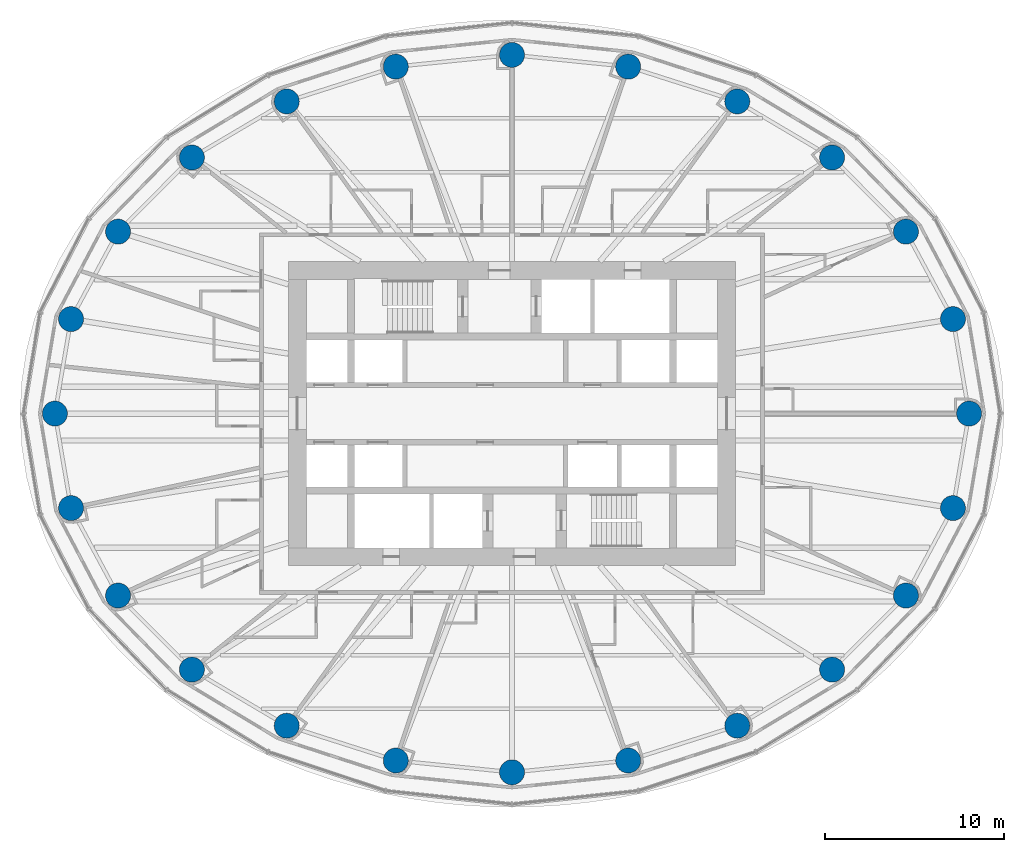
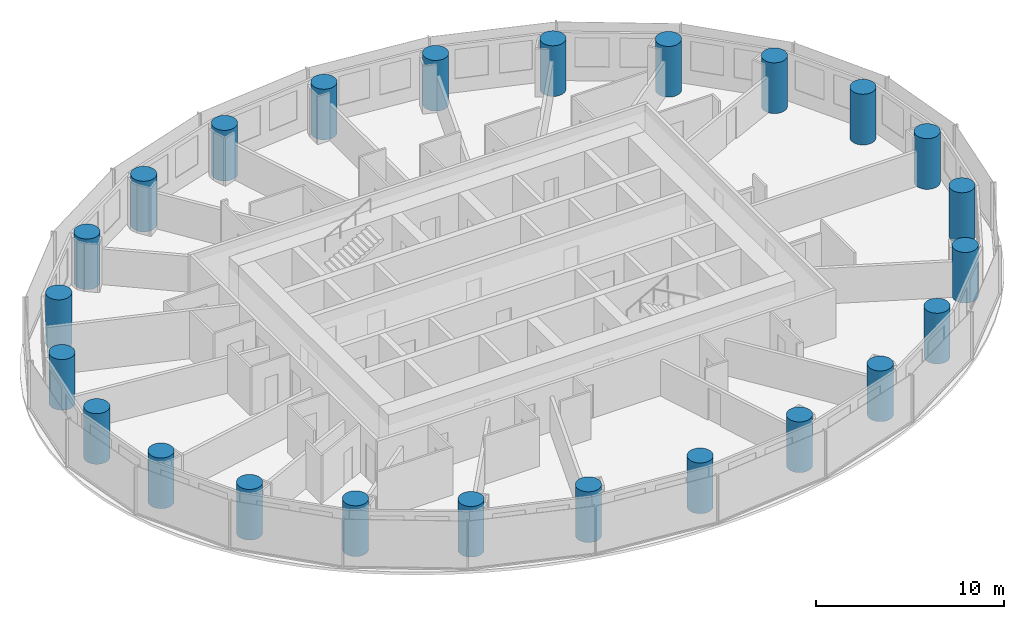
# One storey, part 1 of 13: 24 columns.
"""IFC4 building model written with IfcOpenShell, lengths in metres."""

from ifc_helpers import new_model, si_unit, direction, frame, origin, origin_2d, place, context, subcontext, project, spatial, circle, extrude, material, material_profile, profile_set, type_object, element, save


model = new_model("IFC4")

# Units and contexts
model_context = context("Model", 3, precision=1e-05, world=origin(), true_north=direction((0.0, 1.0)))
body_context = subcontext(model_context, "Body", "Model", "MODEL_VIEW")
ifc_project = project(units=[si_unit("LENGTHUNIT", "METRE"), si_unit("AREAUNIT", "SQUARE_METRE"), si_unit("VOLUMEUNIT", "CUBIC_METRE"), si_unit("PLANEANGLEUNIT", "RADIAN"), si_unit("MASSUNIT", "GRAM", prefix="KILO")], contexts=[model_context])

# Site, building, storey
site_placement = place(None, origin())
site = spatial("IfcSite", under=ifc_project, at=site_placement, CompositionType="ELEMENT")
building_placement = place(site_placement, origin())
building = spatial("IfcBuilding", under=site, at=building_placement, Name="Hankou Lantern Tower", CompositionType="ELEMENT")
storey_placement = place(building_placement, frame((0.0, 0.0, 83.699951171875)))
storey = spatial("IfcBuildingStorey", under=building, at=storey_placement, Name="L21", CompositionType="ELEMENT", Elevation=83.699951171875)

# Columns
ifc_material = material(Name="Concrete C60", Category="concrete")
ifc_material_profile = material_profile(ifc_material, circle(Radius=0.699951171875, at=origin_2d()), Name="RC D1400")
ifc_profile_set = profile_set([ifc_material_profile], Name="Concrete C60")
column_type = type_object("IfcColumnType", Name="TC2 PERIMETER COLUMN RC D1400", PredefinedType="COLUMN", material=ifc_profile_set)
for number, where, z_axis, x_axis, name in (
    (1, (25.550048828125, 0.0, 0.0), (0.0, 0.0, 1.0), (1.0, 0.0, 0.0), "Column R01 L21"),
    (2, (24.64697265625, 5.283203125, 0.0), (0.0, 0.0, 1.0), (1.0, 0.0, 0.0), "Column R02 L21"),
    (3, (22.01904296875, 10.170166015625, 0.0), (0.0, 0.0, 1.0), (1.0, 0.0, 0.0), "Column R03 L21"),
    (4, (17.891845703125, 14.3134765625, 0.0), (0.0, 0.0, 1.0), (1.0, 0.0, 0.0), "Column R04 L21"),
    (5, (12.5908203125, 17.446533203125, 0.0), (0.0, 0.0, 1.0), (1.0, 0.0, 0.0), "Column R05 L21"),
    (6, (6.494873046875, 19.391357421875, 0.0), (0.0, 0.0, 1.0), (1.0, 0.0, 0.0), "Column R06 L21"),
    (7, (0.0, 20.050048828125, 0.0), (0.0, 0.0, 1.0), (1.0, 0.0, 0.0), "Column R07 L21"),
    (8, (-6.494873046875, 19.391357421875, 0.0), (0.0, 0.0, 1.0), (1.0, 0.0, 0.0), "Column R08 L21"),
    (9, (-12.5908203125, 17.446533203125, 0.0), (0.0, 0.0, 1.0), (1.0, 0.0, 0.0), "Column R09 L21"),
    (10, (-17.891845703125, 14.3134765625, 0.0), (0.0, 0.0, 1.0), (1.0, 0.0, 0.0), "Column R10 L21"),
    (11, (-22.01904296875, 10.170166015625, 0.0), (0.0, 0.0, 1.0), (1.0, 0.0, 0.0), "Column R11 L21"),
    (12, (-24.64697265625, 5.283203125, 0.0), (0.0, 0.0, 1.0), (1.0, 0.0, 0.0), "Column R12 L21"),
    (13, (-25.550048828125, 0.0, 0.0), (0.0, 0.0, 1.0), (1.0, 0.0, 0.0), "Column R13 L21"),
    (14, (-24.64697265625, -5.283203125, 0.0), (0.0, 0.0, 1.0), (1.0, 0.0, 0.0), "Column R14 L21"),
    (15, (-22.01904296875, -10.170166015625, 0.0), (0.0, 0.0, 1.0), (1.0, 0.0, 0.0), "Column R15 L21"),
    (16, (-17.891845703125, -14.3134765625, 0.0), (0.0, 0.0, 1.0), (1.0, 0.0, 0.0), "Column R16 L21"),
    (17, (-12.5908203125, -17.446533203125, 0.0), (0.0, 0.0, 1.0), (1.0, 0.0, 0.0), "Column R17 L21"),
    (18, (-6.494873046875, -19.391357421875, 0.0), (0.0, 0.0, 1.0), (1.0, 0.0, 0.0), "Column R18 L21"),
    (19, (0.0, -20.050048828125, 0.0), (0.0, 0.0, 1.0), (1.0, 0.0, 0.0), "Column R19 L21"),
    (20, (6.494873046875, -19.391357421875, 0.0), (0.0, 0.0, 1.0), (1.0, 0.0, 0.0), "Column R20 L21"),
    (21, (12.5908203125, -17.446533203125, 0.0), (0.0, 0.0, 1.0), (1.0, 0.0, 0.0), "Column R21 L21"),
    (22, (17.891845703125, -14.3134765625, 0.0), (0.0, 0.0, 1.0), (1.0, 0.0, 0.0), "Column R22 L21"),
    (23, (22.01904296875, -10.170166015625, 0.0), (0.0, 0.0, 1.0), (1.0, 0.0, 0.0), "Column R23 L21"),
    (24, (24.64697265625, -5.283203125, 0.0), (0.0, 0.0, 1.0), (1.0, 0.0, 0.0), "Column R24 L21"),
):
    element("IfcColumn", number, at=place(storey_placement, frame(where, z_axis=z_axis, x_axis=x_axis)), inside=storey, type_object=column_type, Name=name, PredefinedType="COLUMN", context=body_context, shape_type="SweptSolid", body=[
        extrude(circle(Radius=0.699951171875, at=origin_2d()), origin(), (0.0, 0.0, 1.0), 3.300048828125),
    ])

save(model, "model.ifc")
